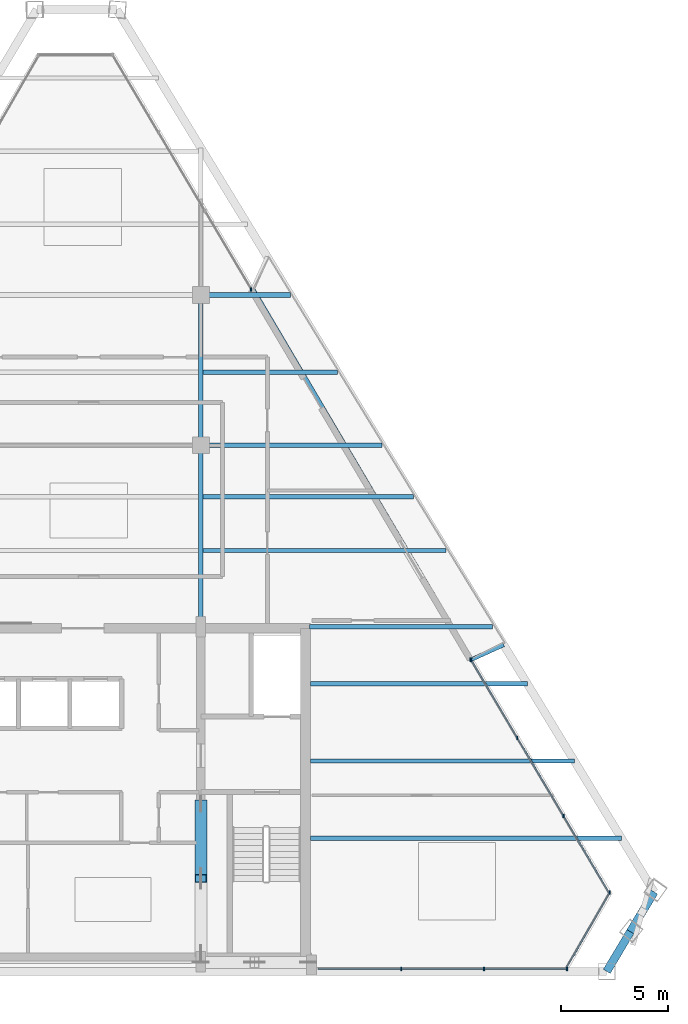
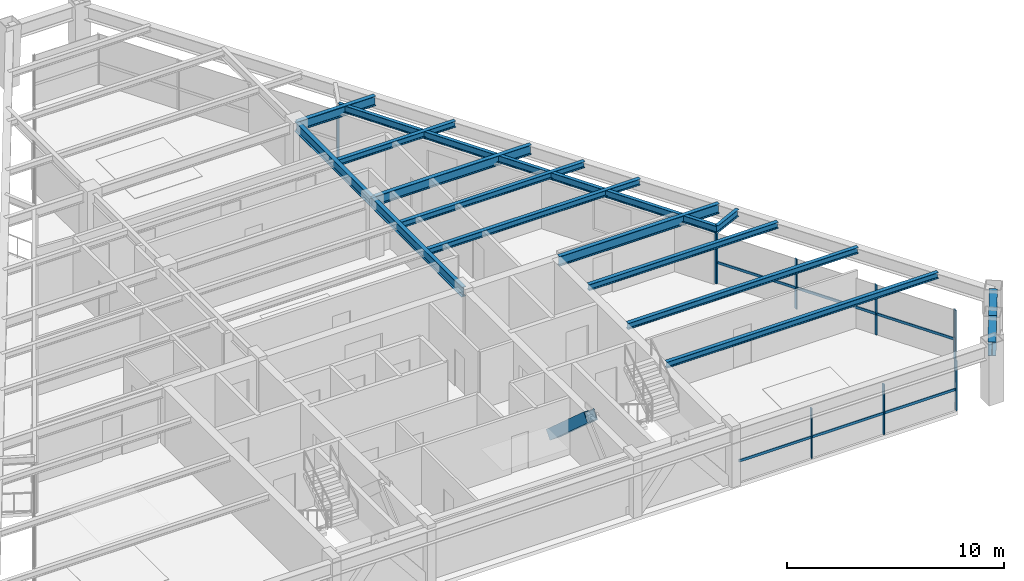
# One storey, part 5 of 13: 17 members, 15 beams, 4 elements without a shape of their own.
"""IFC4 building model written with IfcOpenShell, lengths in metres."""

from ifc_helpers import new_model, si_unit, direction, frame, origin, origin_2d, place, context, subcontext, project, spatial, rectangle, hollow_rectangle, i_section, extrude, source, transform, mapped, material, material_profile, profile_set, type_object, type_shapes, element, aggregate, save


model = new_model("IFC4")

# Units and contexts
model_context = context("Model", 3, precision=1e-05, world=origin(), true_north=direction((0.0, 1.0)))
body_context = subcontext(model_context, "Body", "Model", "MODEL_VIEW")
ifc_project = project(units=[si_unit("LENGTHUNIT", "METRE"), si_unit("AREAUNIT", "SQUARE_METRE"), si_unit("VOLUMEUNIT", "CUBIC_METRE"), si_unit("PLANEANGLEUNIT", "RADIAN"), si_unit("MASSUNIT", "GRAM", prefix="KILO")], contexts=[model_context])

# Site, building, storey
site_placement = place(None, origin())
site = spatial("IfcSite", under=ifc_project, at=site_placement, CompositionType="ELEMENT")
building_placement = place(site_placement, origin())
building = spatial("IfcBuilding", under=site, at=building_placement, Name="Varnakhor Terracotta Tower", CompositionType="ELEMENT")
storey_placement = place(building_placement, frame((0.0, 0.0, 276.449951171875)))
storey = spatial("IfcBuildingStorey", under=building, at=storey_placement, Name="L72", CompositionType="ELEMENT", Elevation=276.449951171875)

# Beams
ifc_material_1 = material(Name="Steel S355", Category="steel")
ifc_material_profile_1 = material_profile(ifc_material_1, i_section(OverallWidth=0.214111328125, OverallDepth=0.549072265625, WebThickness=0.014892578125, FlangeThickness=0.02392578125, FilletRadius=0.01806640625, at=origin_2d()), Name="W21X93")
ifc_profile_set_1 = profile_set([ifc_material_profile_1], Name="Steel S355")
beam_type_1 = type_object("IfcBeamType", Name="BM-W21X93", PredefinedType="BEAM", material=ifc_profile_set_1)
shared_shape_1 = source(origin(), body_context, "Body", "SweptSolid", [
    extrude(i_section(OverallWidth=0.214111328125, OverallDepth=0.549072265625, WebThickness=0.014892578125, FlangeThickness=0.02392578125, FilletRadius=0.01806640625, at=origin_2d()), origin(), (0.0, 0.0, 1.0), 8.449951171875),
])
type_shapes(beam_type_1, [shared_shape_1])
beam_1_placement = place(storey_placement, frame((5.5, 16.050048828125, 2.965576171875), z_axis=(0.0, 1.0, 0.0), x_axis=(-1.0, 0.0, 0.0)))
element("IfcBeam", 1, at=beam_1_placement, inside=storey, type_object=beam_type_1, Name="L72 Primary Girder NS1-E", PredefinedType="BEAM", context=body_context, shape_type="MappedRepresentation", body=[
    mapped(shared_shape_1, transform((0.0, 0.0, 0.0), scale=1.0)),
])
shared_shape_2 = source(origin(), body_context, "Body", "SweptSolid", [
    extrude(i_section(OverallWidth=0.214111328125, OverallDepth=0.549072265625, WebThickness=0.014892578125, FlangeThickness=0.02392578125, FilletRadius=0.01806640625, at=origin_2d()), origin(), (0.0, 0.0, 1.0), 7.0),
])
beam_2_placement = place(storey_placement, frame((5.5, 24.5, 2.965576171875), z_axis=(0.0, 1.0, 0.0), x_axis=(-1.0, 0.0, 0.0)))
element("IfcBeam", 2, at=beam_2_placement, inside=storey, type_object=beam_type_1, Name="L72 Primary Girder NS2-E", PredefinedType="BEAM", context=body_context, shape_type="MappedRepresentation", body=[
    mapped(shared_shape_2, transform((0.0, 0.0, 0.0), scale=1.0)),
])

# Member
ifc_material_profile_2 = material_profile(ifc_material_1, hollow_rectangle(XDim=0.550048828125, YDim=0.550048828125, WallThickness=0.034912109375, at=origin_2d()), Name="HSS550X550X35")
ifc_profile_set_2 = profile_set([ifc_material_profile_2], Name="Steel S355")
member_type_1 = type_object("IfcMemberType", Name="MBR-MEGA-550", PredefinedType="BRACE", material=ifc_profile_set_2)
shared_shape_3 = source(origin(), body_context, "Body", "SweptSolid", [
    extrude(hollow_rectangle(XDim=0.550048828125, YDim=0.550048828125, WallThickness=0.034912109375, at=origin_2d()), origin(), (0.0, 0.0, 1.0), 4.650146484375),
])
member_1_placement = place(storey_placement, frame((5.5, 7.800048828125, 0.0), z_axis=(0.0, -0.74729054724, 0.664497432655), x_axis=(1.0, 0.0, 0.0)))
element("IfcMember", 3, at=member_1_placement, inside=storey, type_object=member_type_1, Name="L72 Core Coupled Brace CWEB", PredefinedType="BRACE", context=body_context, shape_type="MappedRepresentation", body=[
    mapped(shared_shape_3, transform((0.0, 0.0, 0.0), scale=1.0)),
])

# Beams
ifc_material_profile_3 = material_profile(ifc_material_1, i_section(OverallWidth=0.381103515625, OverallDepth=0.77294921875, WebThickness=0.01708984375, FlangeThickness=0.027099609375, FilletRadius=0.01806640625, at=origin_2d()), Name="W30X173")
ifc_profile_set_3 = profile_set([ifc_material_profile_3], Name="Steel S355")
beam_type_2 = type_object("IfcBeamType", Name="BM-W30X173", PredefinedType="BEAM", material=ifc_profile_set_3)
shared_shape_4 = source(origin(), body_context, "Body", "SweptSolid", [
    extrude(i_section(OverallWidth=0.381103515625, OverallDepth=0.77294921875, WebThickness=0.01708984375, FlangeThickness=0.027099609375, FilletRadius=0.01806640625, at=origin_2d()), origin(), (0.0, 0.0, 1.0), 2.154052734375),
])
for number, where, z_axis, x_axis, name in (
    (4, (24.39990234375, 0.0, 2.853515625), (0.512310566949, 0.858800257914, 0.0), (-0.858800257914, 0.512310566949, 0.0), "L72 Perimeter Spandrel 2"),
    (5, (25.50341796875, 1.849853515625, 2.853515625), (0.512394154458, 0.858750388924, 0.0), (-0.858750388924, 0.512394154458, 0.0), "L72 Perimeter Spandrel 3"),
):
    element("IfcBeam", number, at=place(storey_placement, frame(where, z_axis=z_axis, x_axis=x_axis)), inside=storey, type_object=beam_type_2, Name=name, PredefinedType="BEAM", context=body_context, shape_type="MappedRepresentation", body=[
        mapped(shared_shape_4, transform((0.0, 0.0, 0.0), scale=1.0)),
    ])
ifc_material_profile_4 = material_profile(ifc_material_1, i_section(OverallWidth=0.179931640625, OverallDepth=0.39990234375, WebThickness=0.008544921875, FlangeThickness=0.013427734375, FilletRadius=0.01806640625, at=origin_2d()), Name="IPE400")
ifc_profile_set_4 = profile_set([ifc_material_profile_4], Name="Steel S355")
beam_type_3 = type_object("IfcBeamType", Name="JST-IPE400", PredefinedType="JOIST", material=ifc_profile_set_4)
shared_shape_5 = source(origin(), body_context, "Body", "SweptSolid", [
    extrude(i_section(OverallWidth=0.179931640625, OverallDepth=0.39990234375, WebThickness=0.008544921875, FlangeThickness=0.013427734375, FilletRadius=0.01806640625, at=origin_2d()), origin(), (0.0, 0.0, 1.0), 20.044921875),
])
beam_3_placement = place(storey_placement, frame((18.098388671875, 14.521240234375, 3.0400390625), z_axis=(-0.507930566701, 0.861398014515, 0.0), x_axis=(-0.861398014515, -0.507930566701, 0.0)))
element("IfcBeam", 6, at=beam_3_placement, inside=storey, type_object=beam_type_3, Name="L72 Loggia Edge Beam 1", PredefinedType="JOIST", context=body_context, shape_type="MappedRepresentation", body=[
    mapped(shared_shape_5, transform((0.0, 0.0, 0.0), scale=1.0)),
])
shared_shape_6 = source(origin(), body_context, "Body", "SweptSolid", [
    extrude(i_section(OverallWidth=0.214111328125, OverallDepth=0.549072265625, WebThickness=0.014892578125, FlangeThickness=0.02392578125, FilletRadius=0.01806640625, at=origin_2d()), origin(), (0.0, 0.0, 1.0), 8.5341796875),
])
beam_4_placement = place(storey_placement, frame((10.550048828125, 16.050048828125, 2.965576171875), z_axis=(1.0, 0.0, 0.0), x_axis=(0.0, 1.0, 0.0)))
element("IfcBeam", 7, at=beam_4_placement, inside=storey, type_object=beam_type_1, Name="L72 Wing Girder E", PredefinedType="BEAM", context=body_context, shape_type="MappedRepresentation", body=[
    mapped(shared_shape_6, transform((0.0, 0.0, 0.0), scale=1.0)),
])
shared_shape_7 = source(origin(), body_context, "Body", "SweptSolid", [
    extrude(i_section(OverallWidth=0.214111328125, OverallDepth=0.549072265625, WebThickness=0.014892578125, FlangeThickness=0.02392578125, FilletRadius=0.01806640625, at=origin_2d()), origin(), (0.0, 0.0, 1.0), 8.437255859375),
])
beam_5_placement = place(storey_placement, frame((5.5, 24.5, 2.965576171875), z_axis=(1.0, 0.0, 0.0), x_axis=(0.0, 1.0, 0.0)))
element("IfcBeam", 8, at=beam_5_placement, inside=storey, type_object=beam_type_1, Name="L72 Primary Girder EW2-3", PredefinedType="BEAM", context=body_context, shape_type="MappedRepresentation", body=[
    mapped(shared_shape_7, transform((0.0, 0.0, 0.0), scale=1.0)),
])
shared_shape_8 = source(origin(), body_context, "Body", "SweptSolid", [
    extrude(i_section(OverallWidth=0.214111328125, OverallDepth=0.549072265625, WebThickness=0.014892578125, FlangeThickness=0.02392578125, FilletRadius=0.01806640625, at=origin_2d()), origin(), (0.0, 0.0, 1.0), 4.17333984375),
])
beam_6_placement = place(storey_placement, frame((5.5, 31.5, 2.965576171875), z_axis=(1.0, 0.0, 0.0), x_axis=(0.0, 1.0, 0.0)))
element("IfcBeam", 9, at=beam_6_placement, inside=storey, type_object=beam_type_1, Name="L72 Primary Girder EW3-3", PredefinedType="BEAM", context=body_context, shape_type="MappedRepresentation", body=[
    mapped(shared_shape_8, transform((0.0, 0.0, 0.0), scale=1.0)),
])
ifc_material_profile_5 = material_profile(ifc_material_1, i_section(OverallWidth=0.202880859375, OverallDepth=0.346923828125, WebThickness=0.0078125, FlangeThickness=0.013427734375, FilletRadius=0.01806640625, at=origin_2d()), Name="W14X43")
ifc_profile_set_5 = profile_set([ifc_material_profile_5], Name="Steel S355")
beam_type_4 = type_object("IfcBeamType", Name="JST-W14X43", PredefinedType="JOIST", material=ifc_profile_set_5)
shared_shape_9 = source(origin(), body_context, "Body", "SweptSolid", [
    extrude(i_section(OverallWidth=0.202880859375, OverallDepth=0.346923828125, WebThickness=0.0078125, FlangeThickness=0.013427734375, FilletRadius=0.01806640625, at=origin_2d()), origin(), (0.0, 0.0, 1.0), 14.484130859375),
])
beam_7_placement = place(storey_placement, frame((10.60009765625, 6.199951171875, 3.066650390625), z_axis=(1.0, 0.0, 0.0), x_axis=(0.0, 1.0, 0.0)))
element("IfcBeam", 10, at=beam_7_placement, inside=storey, type_object=beam_type_4, Name="L72 Floor Joist E1", PredefinedType="JOIST", context=body_context, shape_type="MappedRepresentation", body=[
    mapped(shared_shape_9, transform((0.0, 0.0, 0.0), scale=1.0)),
])
shared_shape_10 = source(origin(), body_context, "Body", "SweptSolid", [
    extrude(i_section(OverallWidth=0.202880859375, OverallDepth=0.346923828125, WebThickness=0.0078125, FlangeThickness=0.013427734375, FilletRadius=0.01806640625, at=origin_2d()), origin(), (0.0, 0.0, 1.0), 12.291259765625),
])
beam_8_placement = place(storey_placement, frame((10.60009765625, 9.800048828125, 3.066650390625), z_axis=(1.0, 0.0, 0.0), x_axis=(0.0, 1.0, 0.0)))
element("IfcBeam", 11, at=beam_8_placement, inside=storey, type_object=beam_type_4, Name="L72 Floor Joist E2", PredefinedType="JOIST", context=body_context, shape_type="MappedRepresentation", body=[
    mapped(shared_shape_10, transform((0.0, 0.0, 0.0), scale=1.0)),
])
shared_shape_11 = source(origin(), body_context, "Body", "SweptSolid", [
    extrude(i_section(OverallWidth=0.202880859375, OverallDepth=0.346923828125, WebThickness=0.0078125, FlangeThickness=0.013427734375, FilletRadius=0.01806640625, at=origin_2d()), origin(), (0.0, 0.0, 1.0), 10.098388671875),
])
beam_9_placement = place(storey_placement, frame((10.60009765625, 13.39990234375, 3.066650390625), z_axis=(1.0, 0.0, 0.0), x_axis=(0.0, 1.0, 0.0)))
element("IfcBeam", 12, at=beam_9_placement, inside=storey, type_object=beam_type_4, Name="L72 Floor Joist E3", PredefinedType="JOIST", context=body_context, shape_type="MappedRepresentation", body=[
    mapped(shared_shape_11, transform((0.0, 0.0, 0.0), scale=1.0)),
])
shared_shape_12 = source(origin(), body_context, "Body", "SweptSolid", [
    extrude(i_section(OverallWidth=0.202880859375, OverallDepth=0.346923828125, WebThickness=0.0078125, FlangeThickness=0.013427734375, FilletRadius=0.01806640625, at=origin_2d()), origin(), (0.0, 0.0, 1.0), 11.31884765625),
])
beam_10_placement = place(storey_placement, frame((5.60302734375, 19.60009765625, 3.066650390625), z_axis=(1.0, 0.0, 0.0), x_axis=(0.0, 1.0, 0.0)))
element("IfcBeam", 13, at=beam_10_placement, inside=storey, type_object=beam_type_4, Name="L72 Composite Floor Joist 4-3", PredefinedType="JOIST", context=body_context, shape_type="MappedRepresentation", body=[
    mapped(shared_shape_12, transform((0.0, 0.0, 0.0), scale=1.0)),
])
shared_shape_13 = source(origin(), body_context, "Body", "SweptSolid", [
    extrude(i_section(OverallWidth=0.202880859375, OverallDepth=0.346923828125, WebThickness=0.0078125, FlangeThickness=0.013427734375, FilletRadius=0.01806640625, at=origin_2d()), origin(), (0.0, 0.0, 1.0), 9.796142578125),
])
beam_11_placement = place(storey_placement, frame((5.60302734375, 22.10009765625, 3.066650390625), z_axis=(1.0, 0.0, 0.0), x_axis=(0.0, 1.0, 0.0)))
element("IfcBeam", 14, at=beam_11_placement, inside=storey, type_object=beam_type_4, Name="L72 Composite Floor Joist 5-3", PredefinedType="JOIST", context=body_context, shape_type="MappedRepresentation", body=[
    mapped(shared_shape_13, transform((0.0, 0.0, 0.0), scale=1.0)),
])
shared_shape_14 = source(origin(), body_context, "Body", "SweptSolid", [
    extrude(i_section(OverallWidth=0.202880859375, OverallDepth=0.346923828125, WebThickness=0.0078125, FlangeThickness=0.013427734375, FilletRadius=0.01806640625, at=origin_2d()), origin(), (0.0, 0.0, 1.0), 6.26318359375),
])
beam_12_placement = place(storey_placement, frame((5.60302734375, 27.89990234375, 3.066650390625), z_axis=(1.0, 0.0, 0.0), x_axis=(0.0, 1.0, 0.0)))
element("IfcBeam", 15, at=beam_12_placement, inside=storey, type_object=beam_type_4, Name="L72 Composite Floor Joist 6-3", PredefinedType="JOIST", context=body_context, shape_type="MappedRepresentation", body=[
    mapped(shared_shape_14, transform((0.0, 0.0, 0.0), scale=1.0)),
])

# Curtain wall, members
ifc_material_2 = material(Name="Anodised Aluminium Curtain Wall System", Category="aluminium")
curtain_wall_type = type_object("IfcCurtainWallType", Name="CW-SYS-HOTEL-LOGGIA", PredefinedType="NOTDEFINED", material=ifc_material_2)
curtain_wall_1_placement = place(storey_placement, origin())
curtain_wall_1 = element("IfcCurtainWall", 16, at=curtain_wall_1_placement, inside=storey, type_object=curtain_wall_type, Name="L72 E Facet Curtain Wall 2", PredefinedType="NOTDEFINED")
ifc_material_3 = material(Name="Anodised Aluminium 6063-T6", Category="aluminium")
ifc_material_profile_6 = material_profile(ifc_material_3, rectangle(XDim=0.06494140625, YDim=0.159912109375, at=origin_2d()), Name="ALU MULLION 65x160")
ifc_profile_set_6 = profile_set([ifc_material_profile_6], Name="Anodised Aluminium 6063-T6")
member_type_2 = type_object("IfcMemberType", Name="CWM-04", PredefinedType="MULLION", material=ifc_profile_set_6)
shared_shape_15 = source(origin(), body_context, "Body", "SweptSolid", [
    extrude(rectangle(XDim=0.06494140625, YDim=0.159912109375, at=origin_2d()), origin(), (0.0, 0.0, 1.0), 2.820068359375),
])
type_shapes(member_type_2, [shared_shape_15])
member_2_placement = place(storey_placement, frame((18.077880859375, 14.509033203125, 0.0), z_axis=(0.0, 0.0, 1.0), x_axis=(1.0, 0.0, 0.0)))
member_2 = element("IfcMember", 17, at=member_2_placement, type_object=member_type_2, Name="L72 E Facet Curtain Wall 2 Mullion 1", PredefinedType="MULLION", context=body_context, shape_type="MappedRepresentation", body=[
    mapped(shared_shape_15, transform((0.0, 0.0, 0.0), scale=1.0)),
])
member_3_placement = place(storey_placement, frame((20.231689453125, 10.873046875, 0.0), z_axis=(0.0, 0.0, 1.0), x_axis=(1.0, 0.0, 0.0)))
member_3 = element("IfcMember", 18, at=member_3_placement, type_object=member_type_2, Name="L72 E Facet Curtain Wall 2 Mullion 2", PredefinedType="MULLION", context=body_context, shape_type="MappedRepresentation", body=[
    mapped(shared_shape_15, transform((0.0, 0.0, 0.0), scale=1.0)),
])
member_4_placement = place(storey_placement, frame((22.3857421875, 7.237060546875, 0.0), z_axis=(0.0, 0.0, 1.0), x_axis=(1.0, 0.0, 0.0)))
member_4 = element("IfcMember", 19, at=member_4_placement, type_object=member_type_2, Name="L72 E Facet Curtain Wall 2 Mullion 3", PredefinedType="MULLION", context=body_context, shape_type="MappedRepresentation", body=[
    mapped(shared_shape_15, transform((0.0, 0.0, 0.0), scale=1.0)),
])

# Curtain wall, member
curtain_wall_2_placement = place(storey_placement, origin())
curtain_wall_2 = element("IfcCurtainWall", 20, at=curtain_wall_2_placement, inside=storey, type_object=curtain_wall_type, Name="L72 E Facet Curtain Wall 1", PredefinedType="NOTDEFINED")
member_5_placement = place(storey_placement, frame((7.843017578125, 31.7470703125, 0.0), z_axis=(0.0, 0.0, 1.0), x_axis=(1.0, 0.0, 0.0)))
member_5 = element("IfcMember", 21, at=member_5_placement, type_object=member_type_2, Name="L72 E Loggia Jamb Closure Mullion 1", PredefinedType="MULLION", context=body_context, shape_type="MappedRepresentation", body=[
    mapped(shared_shape_15, transform((0.0, 0.0, 0.0), scale=1.0)),
])
aggregate(curtain_wall_2, [member_5])

# Member
member_6_placement = place(storey_placement, frame((18.04541015625, 14.524658203125, 0.0), z_axis=(0.0, 0.0, 1.0), x_axis=(1.0, 0.0, 0.0)))
member_6 = element("IfcMember", 22, at=member_6_placement, type_object=member_type_2, Name="L72 E Loggia Jamb Closure Mullion 2", PredefinedType="MULLION", context=body_context, shape_type="MappedRepresentation", body=[
    mapped(shared_shape_15, transform((0.0, 0.0, 0.0), scale=1.0)),
])

# Curtain wall, member
curtain_wall_3_placement = place(storey_placement, origin())
curtain_wall_3 = element("IfcCurtainWall", 23, at=curtain_wall_3_placement, inside=storey, type_object=curtain_wall_type, Name="L72 Facet Curtain Wall 4", PredefinedType="NOTDEFINED")
member_7_placement = place(storey_placement, frame((24.539306640625, 3.67041015625, 0.0), z_axis=(0.0, 0.0, 1.0), x_axis=(1.0, 0.0, 0.0)))
member_7 = element("IfcMember", 24, at=member_7_placement, type_object=member_type_2, Name="L72 Facet Curtain Wall 4 Mullion 1", PredefinedType="MULLION", context=body_context, shape_type="MappedRepresentation", body=[
    mapped(shared_shape_15, transform((0.0, 0.0, 0.0), scale=1.0)),
])

# Curtain wall, members
curtain_wall_4_placement = place(storey_placement, origin())
curtain_wall_4 = element("IfcCurtainWall", 25, at=curtain_wall_4_placement, inside=storey, type_object=curtain_wall_type, Name="L72 South Wing Curtain Wall SSE", PredefinedType="NOTDEFINED")
member_8_placement = place(storey_placement, frame((22.54833984375, 0.1201171875, 0.0), z_axis=(0.0, 0.0, 1.0), x_axis=(1.0, 0.0, 0.0)))
member_8 = element("IfcMember", 26, at=member_8_placement, type_object=member_type_2, Name="L72 South Wing Curtain Wall SSE Mullion 1", PredefinedType="MULLION", context=body_context, shape_type="MappedRepresentation", body=[
    mapped(shared_shape_15, transform((0.0, 0.0, 0.0), scale=1.0)),
])
member_9_placement = place(storey_placement, frame((18.68896484375, 0.1201171875, 0.0), z_axis=(0.0, 0.0, 1.0), x_axis=(1.0, 0.0, 0.0)))
member_9 = element("IfcMember", 27, at=member_9_placement, type_object=member_type_2, Name="L72 South Wing Curtain Wall SSE Mullion 2", PredefinedType="MULLION", context=body_context, shape_type="MappedRepresentation", body=[
    mapped(shared_shape_15, transform((0.0, 0.0, 0.0), scale=1.0)),
])
member_10_placement = place(storey_placement, frame((14.829345703125, 0.1201171875, 0.0), z_axis=(0.0, 0.0, 1.0), x_axis=(1.0, 0.0, 0.0)))
member_10 = element("IfcMember", 28, at=member_10_placement, type_object=member_type_2, Name="L72 South Wing Curtain Wall SSE Mullion 3", PredefinedType="MULLION", context=body_context, shape_type="MappedRepresentation", body=[
    mapped(shared_shape_15, transform((0.0, 0.0, 0.0), scale=1.0)),
])

# Member
ifc_material_profile_7 = material_profile(ifc_material_3, rectangle(XDim=0.06494140625, YDim=0.14501953125, at=origin_2d()), Name="ALU TRANSOM 65x145")
ifc_profile_set_7 = profile_set([ifc_material_profile_7], Name="Anodised Aluminium 6063-T6")
member_type_3 = type_object("IfcMemberType", Name="CWT-04", PredefinedType="USERDEFINED", material=ifc_profile_set_7)
shared_shape_16 = source(origin(), body_context, "Body", "SweptSolid", [
    extrude(rectangle(XDim=0.06494140625, YDim=0.14501953125, at=origin_2d()), origin(), (0.0, 0.0, 1.0), 4.22607421875),
])
member_11_placement = place(storey_placement, frame((18.077880859375, 14.509033203125, 1.1845703125), z_axis=(0.50965352769, -0.860379731115, 0.0), x_axis=(0.860379731115, 0.50965352769, 0.0)))
member_11 = element("IfcMember", 29, at=member_11_placement, type_object=member_type_3, Name="L72 E Facet Curtain Wall 2 Transom 1", ObjectType="TRANSOM", PredefinedType="USERDEFINED", context=body_context, shape_type="MappedRepresentation", body=[
    mapped(shared_shape_16, transform((0.0, 0.0, 0.0), scale=1.0)),
])

member_12_placement = place(storey_placement, frame((20.231689453125, 10.873046875, 1.1845703125), z_axis=(0.509696290787, -0.860354398581, 0.0), x_axis=(0.860354398581, 0.509696290787, 0.0)))
member_12 = element("IfcMember", 30, at=member_12_placement, type_object=member_type_3, Name="L72 E Facet Curtain Wall 2 Transom 2", ObjectType="TRANSOM", PredefinedType="USERDEFINED", context=body_context, shape_type="MappedRepresentation", body=[
    mapped(shared_shape_16, transform((0.0, 0.0, 0.0), scale=1.0)),
])

shared_shape_17 = source(origin(), body_context, "Body", "SweptSolid", [
    extrude(rectangle(XDim=0.06494140625, YDim=0.14501953125, at=origin_2d()), origin(), (0.0, 0.0, 1.0), 4.225830078125),
])
member_13_placement = place(storey_placement, frame((22.3857421875, 7.237060546875, 1.1845703125), z_axis=(0.509721624675, -0.860339389624, 0.0), x_axis=(0.860339389624, 0.509721624675, 0.0)))
member_13 = element("IfcMember", 31, at=member_13_placement, type_object=member_type_3, Name="L72 E Facet Curtain Wall 2 Transom 3", ObjectType="TRANSOM", PredefinedType="USERDEFINED", context=body_context, shape_type="MappedRepresentation", body=[
    mapped(shared_shape_17, transform((0.0, 0.0, 0.0), scale=1.0)),
])

aggregate(curtain_wall_1, [member_2, member_11, member_3, member_12, member_4, member_13, member_6])

shared_shape_18 = source(origin(), body_context, "Body", "SweptSolid", [
    extrude(rectangle(XDim=0.06494140625, YDim=0.14501953125, at=origin_2d()), origin(), (0.0, 0.0, 1.0), 4.13916015625),
])
member_14_placement = place(storey_placement, frame((24.539306640625, 3.67041015625, 1.1845703125), z_axis=(-0.500059425018, -0.865991092016, 0.0), x_axis=(0.865991092016, -0.500059425018, 0.0)))
member_14 = element("IfcMember", 32, at=member_14_placement, type_object=member_type_3, Name="L72 Facet Curtain Wall 4 Transom 1", ObjectType="TRANSOM", PredefinedType="USERDEFINED", context=body_context, shape_type="MappedRepresentation", body=[
    mapped(shared_shape_18, transform((0.0, 0.0, 0.0), scale=1.0)),
])

aggregate(curtain_wall_3, [member_7, member_14])

shared_shape_19 = source(origin(), body_context, "Body", "SweptSolid", [
    extrude(rectangle(XDim=0.06494140625, YDim=0.14501953125, at=origin_2d()), origin(), (0.0, 0.0, 1.0), 3.859375),
])
member_15_placement = place(storey_placement, frame((22.54833984375, 0.1201171875, 1.1845703125), z_axis=(-1.0, 0.0, 0.0), x_axis=(0.0, -1.0, 0.0)))
member_15 = element("IfcMember", 33, at=member_15_placement, type_object=member_type_3, Name="L72 South Wing Curtain Wall SSE Transom 1", ObjectType="TRANSOM", PredefinedType="USERDEFINED", context=body_context, shape_type="MappedRepresentation", body=[
    mapped(shared_shape_19, transform((0.0, 0.0, 0.0), scale=1.0)),
])

member_16_placement = place(storey_placement, frame((14.829345703125, 0.1201171875, 1.1845703125), z_axis=(-1.0, 0.0, 0.0), x_axis=(0.0, -1.0, 0.0)))
member_16 = element("IfcMember", 34, at=member_16_placement, type_object=member_type_3, Name="L72 South Wing Curtain Wall SSE Transom 3", ObjectType="TRANSOM", PredefinedType="USERDEFINED", context=body_context, shape_type="MappedRepresentation", body=[
    mapped(shared_shape_19, transform((0.0, 0.0, 0.0), scale=1.0)),
])

shared_shape_20 = source(origin(), body_context, "Body", "SweptSolid", [
    extrude(rectangle(XDim=0.06494140625, YDim=0.14501953125, at=origin_2d()), origin(), (0.0, 0.0, 1.0), 3.859619140625),
])
member_17_placement = place(storey_placement, frame((18.68896484375, 0.1201171875, 1.1845703125), z_axis=(-1.0, 0.0, 0.0), x_axis=(0.0, -1.0, 0.0)))
member_17 = element("IfcMember", 35, at=member_17_placement, type_object=member_type_3, Name="L72 South Wing Curtain Wall SSE Transom 2", ObjectType="TRANSOM", PredefinedType="USERDEFINED", context=body_context, shape_type="MappedRepresentation", body=[
    mapped(shared_shape_20, transform((0.0, 0.0, 0.0), scale=1.0)),
])

aggregate(curtain_wall_4, [member_8, member_15, member_9, member_17, member_10, member_16])

# Beam
shared_shape_21 = source(origin(), body_context, "Body", "SweptSolid", [
    extrude(i_section(OverallWidth=0.179931640625, OverallDepth=0.39990234375, WebThickness=0.008544921875, FlangeThickness=0.013427734375, FilletRadius=0.01806640625, at=origin_2d()), origin(), (0.0, 0.0, 1.0), 1.649169921875),
])
beam_13_placement = place(storey_placement, frame((18.098388671875, 14.521240234375, 3.0400390625), z_axis=(0.910254912684, 0.414048299037, 0.0), x_axis=(-0.414048299037, 0.910254912684, 0.0)))
element("IfcBeam", 36, at=beam_13_placement, inside=storey, type_object=beam_type_3, Name="L73 E Loggia Tie Beam 2", PredefinedType="JOIST", context=body_context, shape_type="MappedRepresentation", body=[
    mapped(shared_shape_21, transform((0.0, 0.0, 0.0), scale=1.0)),
])

save(model, "model.ifc")
